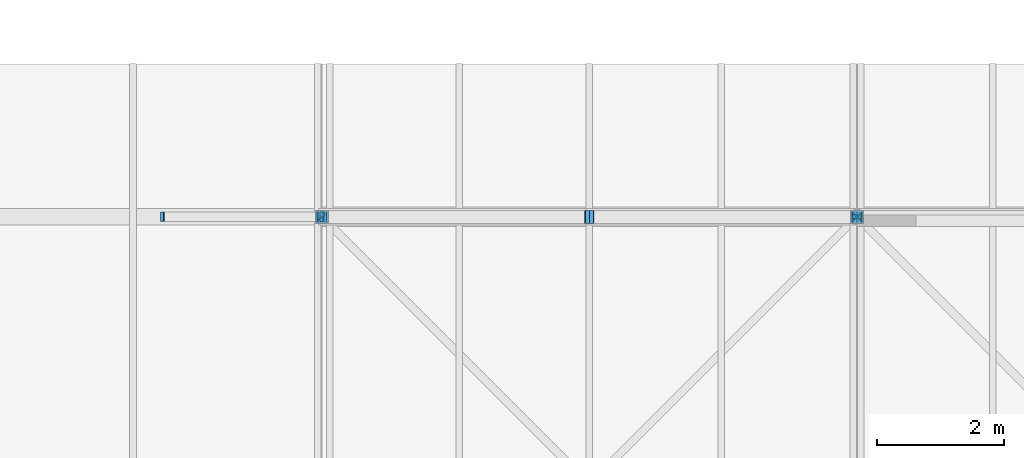
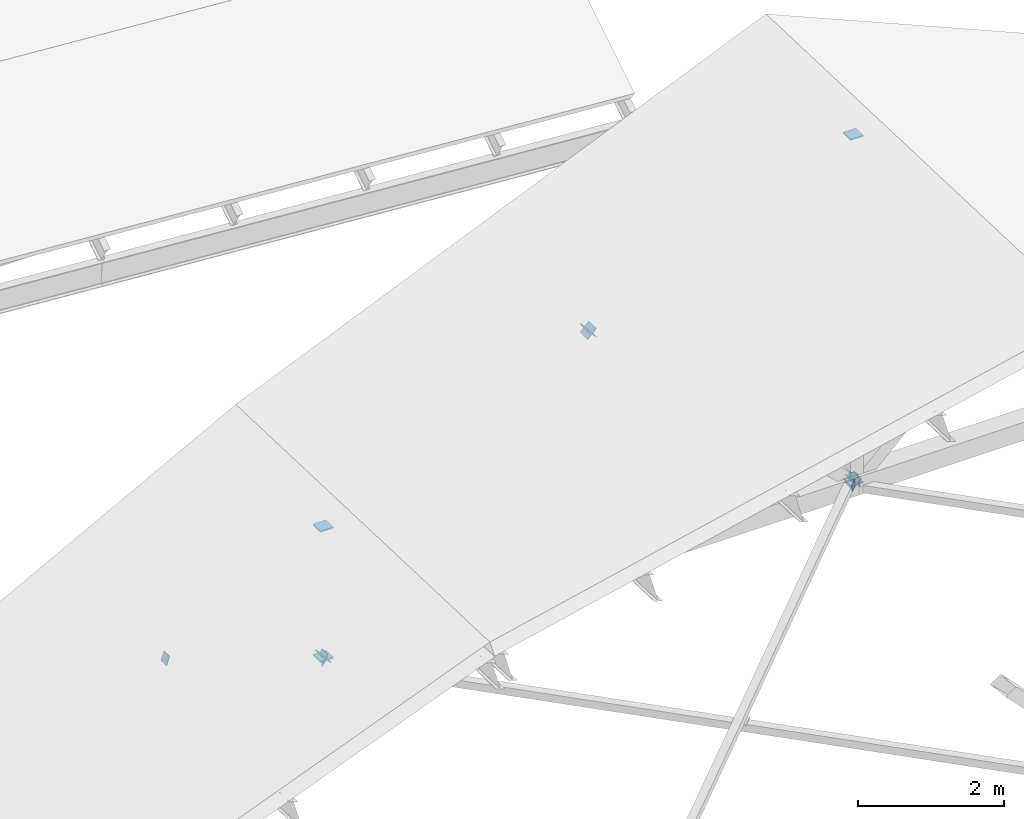
# One storey, part 48 of 76: 14 discrete accessories.
"""IFC4 building model written with IfcOpenShell, lengths in metres."""

from ifc_helpers import new_model, si_unit, direction, frame, origin, origin_2d, place, context, subcontext, project, spatial, rectangle, extrude, material, element, save


model = new_model("IFC4")

# Units and contexts
model_context = context("Model", 3, precision=1e-05, world=origin(), true_north=direction((0.0, 1.0)))
body_context = subcontext(model_context, "Body", "Model", "MODEL_VIEW")
ifc_project = project(units=[si_unit("LENGTHUNIT", "METRE"), si_unit("AREAUNIT", "SQUARE_METRE"), si_unit("VOLUMEUNIT", "CUBIC_METRE"), si_unit("PLANEANGLEUNIT", "RADIAN"), si_unit("MASSUNIT", "GRAM", prefix="KILO")], contexts=[model_context])

# Site, building, storey
site_placement = place(None, origin())
site = spatial("IfcSite", under=ifc_project, at=site_placement, CompositionType="ELEMENT")
building_placement = place(site_placement, origin())
building = spatial("IfcBuilding", under=site, at=building_placement, Name="Hlaing Beacon Police Headquarters", CompositionType="ELEMENT")
storey_placement = place(building_placement, frame((0.0, 0.0, 18.89990234375)))
storey = spatial("IfcBuildingStorey", under=building, at=storey_placement, Name="L04", CompositionType="ELEMENT", Elevation=18.89990234375)

# Discrete accessories
ifc_material = material(Name="Steel ASTM A572 Grade 50", Category="steel")
for number, where, z_axis, x_axis, name in (
    (1, (58.800048828125, 67.199951171875, -4.33740234375), (0.0, 0.0, -1.0), (1.0, 0.0, 0.0), "Gusset plate GP-353"),
    (2, (58.800048828125, 67.199951171875, -2.17919921875), (0.0, 0.0, 1.0), (1.0, 0.0, 0.0), "Gusset plate GP-354"),
    (3, (67.199951171875, 67.199951171875, -4.33740234375), (0.0, 0.0, -1.0), (1.0, 0.0, 0.0), "Gusset plate GP-355"),
    (4, (67.199951171875, 67.199951171875, 1.4443359375), (0.0, 0.0, 1.0), (1.0, 0.0, 0.0), "Gusset plate GP-356"),
):
    element("IfcDiscreteAccessory", number, at=place(storey_placement, frame(where, z_axis=z_axis, x_axis=x_axis)), inside=storey, material=ifc_material, Name=name, PredefinedType="BRACKET", context=body_context, shape_type="SweptSolid", body=[
        extrude(rectangle(XDim=0.203125, YDim=0.203125, at=origin_2d()), origin(), (0.0, 0.0, 1.0), 0.02001953125),
    ])
for number, where, z_axis, x_axis, name in (
    (5, (58.805908203125, 67.199951171875, -4.341796875), (-0.725017321361, 0.0, -0.688730632197), (0.0, -1.0, 0.0), "Gusset plate GP-363"),
    (6, (62.994140625, 67.199951171875, -0.363037109375), (0.725017321361, 0.0, 0.688730632197), (0.0, 1.0, 0.0), "Gusset plate GP-364"),
    (7, (63.005859375, 67.199951171875, -0.36328125), (-0.725017321361, 0.0, 0.688730632197), (0.0, -1.0, 0.0), "Gusset plate GP-365"),
    (8, (67.194091796875, 67.199951171875, -4.342041015625), (0.725017321361, 0.0, -0.688730632197), (0.0, 1.0, 0.0), "Gusset plate GP-366"),
    (9, (67.205810546875, 67.199951171875, -4.341796875), (-0.725017321361, 0.0, -0.688730632197), (0.0, -1.0, 0.0), "Gusset plate GP-367"),
):
    element("IfcDiscreteAccessory", number, at=place(storey_placement, frame(where, z_axis=z_axis, x_axis=x_axis)), inside=storey, material=ifc_material, Name=name, PredefinedType="BRACKET", context=body_context, shape_type="SweptSolid", body=[
        extrude(rectangle(XDim=0.203125, YDim=0.203125, at=origin_2d()), origin(), (0.0, 0.0, 1.0), 0.01611328125),
    ])
for number, where, z_axis, x_axis, name in (
    (10, (58.79248046875, 67.199951171875, -4.344970703125), (0.947940118274, 0.0, -0.318448633483), (0.0, 1.0, 0.0), "Gusset plate GP-379"),
    (11, (56.3076171875, 67.199951171875, -3.51025390625), (-0.947940118274, 0.0, 0.318448633483), (0.0, -1.0, 0.0), "Gusset plate GP-380"),
):
    element("IfcDiscreteAccessory", number, at=place(storey_placement, frame(where, z_axis=z_axis, x_axis=x_axis)), inside=storey, material=ifc_material, Name=name, PredefinedType="BRACKET", context=body_context, shape_type="SweptSolid", body=[
        extrude(rectangle(XDim=0.15234375, YDim=0.15234375, at=origin_2d()), origin(), (0.0, 0.0, 1.0), 0.01611328125),
    ])
for number, where, z_axis, x_axis, name in (
    (12, (67.195556640625, 67.195556640625, -4.27392578125), (0.707106781187, 0.707106781187, 0.0), (-0.707106781187, 0.707106781187, 0.0), "Gusset plate GP-400"),
    (13, (58.80419921875, 67.19580078125, -4.4208984375), (-0.707106781187, 0.707106781187, 0.0), (-0.707106781187, -0.707106781187, 0.0), "Gusset plate GP-401"),
    (14, (67.2041015625, 67.19580078125, -4.4208984375), (-0.707117056885, 0.707096505339, 0.0), (-0.707096505339, -0.707117056885, 0.0), "Gusset plate GP-405"),
):
    element("IfcDiscreteAccessory", number, at=place(storey_placement, frame(where, z_axis=z_axis, x_axis=x_axis)), inside=storey, material=ifc_material, Name=name, PredefinedType="BRACKET", context=body_context, shape_type="SweptSolid", body=[
        extrude(rectangle(XDim=0.126953125, YDim=0.126953125, at=origin_2d()), origin(), (0.0, 0.0, 1.0), 0.011962890625),
    ])

save(model, "model.ifc")
